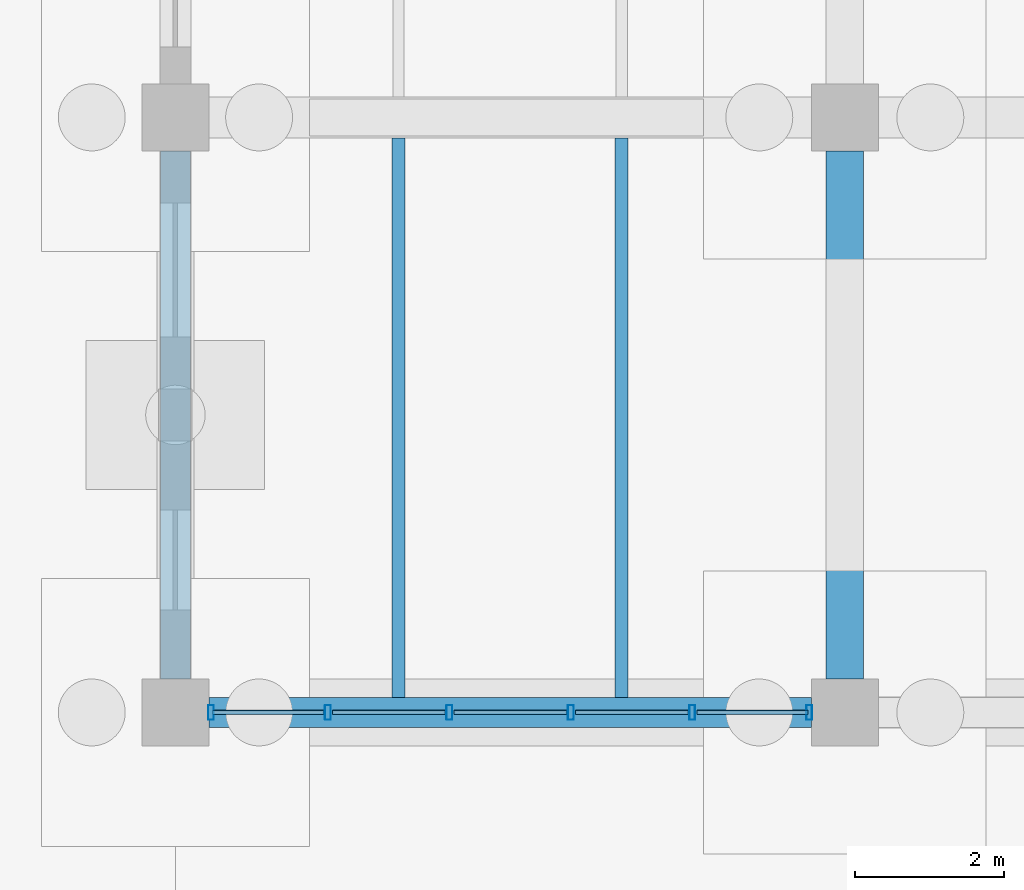
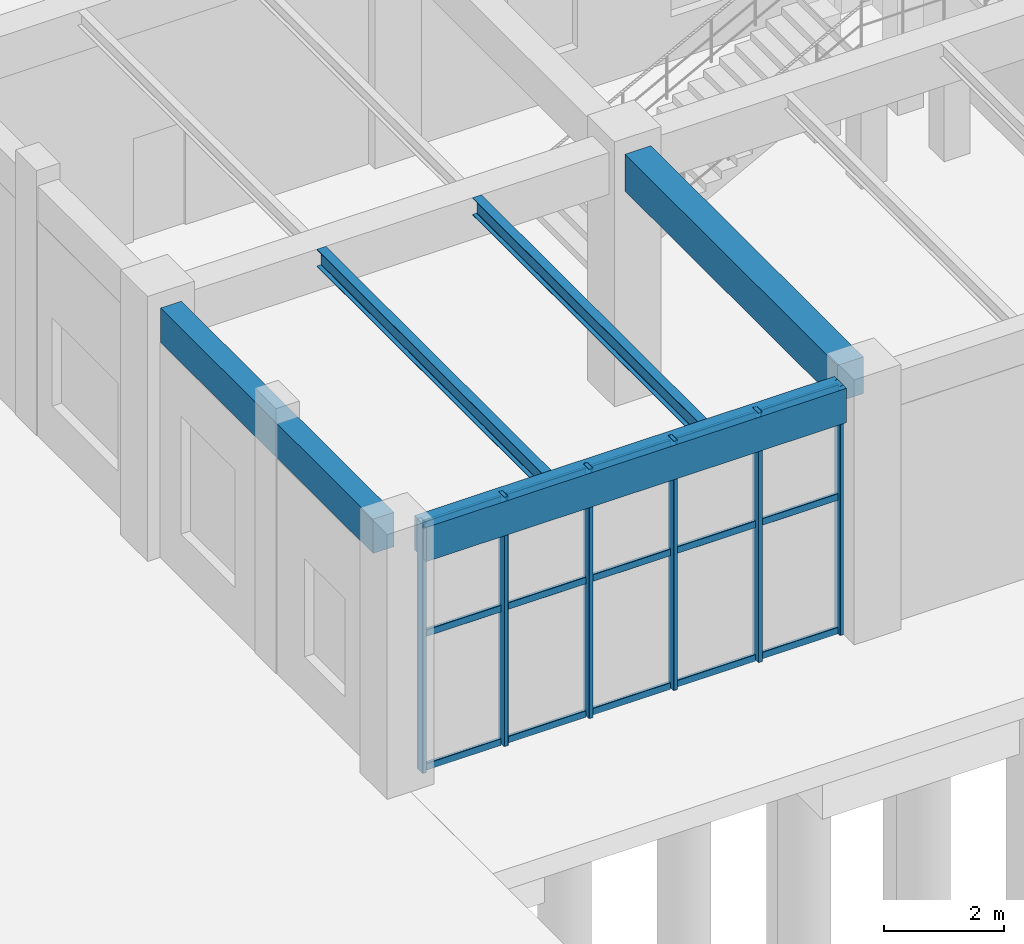
# One storey, part 23 of 121: 21 members, 5 beams, 1 element without a shape of its own.
"""IFC4 building model written with IfcOpenShell, lengths in metres."""

from ifc_helpers import new_model, si_unit, derived_unit, direction, frame, origin, origin_2d, place, context, subcontext, project, spatial, rectangle, hollow_rectangle, i_section, extrude, material, material_profile, profile_set, type_object, element, aggregate, save


model = new_model("IFC4")

# Units and contexts
model_context = context("Model", 3, precision=1e-05, world=origin(), true_north=direction((0.0, 1.0)))
body_context = subcontext(model_context, "Body", "Model", "MODEL_VIEW")
ifc_project = project(units=[si_unit("LENGTHUNIT", "METRE"), si_unit("AREAUNIT", "SQUARE_METRE"), si_unit("VOLUMEUNIT", "CUBIC_METRE"), si_unit("PLANEANGLEUNIT", "RADIAN"), si_unit("MASSUNIT", "GRAM", prefix="KILO"), derived_unit("THERMALTRANSMITTANCEUNIT", [(si_unit("MASSUNIT", "GRAM", prefix="KILO"), 1), (si_unit("TIMEUNIT", "SECOND"), -3), (si_unit("THERMODYNAMICTEMPERATUREUNIT", "KELVIN"), -1)])], contexts=[model_context])

# Site, building, storey
site_placement = place(None, origin())
site = spatial("IfcSite", under=ifc_project, at=site_placement, CompositionType="ELEMENT")
building_placement = place(site_placement, origin())
building = spatial("IfcBuilding", under=site, at=building_placement, Name="Zhenchuan Archway Interchange", CompositionType="ELEMENT")
storey_placement = place(building_placement, origin())
storey = spatial("IfcBuildingStorey", under=building, at=storey_placement, Name="L00", CompositionType="ELEMENT", Elevation=0.0)

# Beam
ifc_material_1 = material(Name="Concrete C40", Category="concrete")
ifc_material_profile_1 = material_profile(ifc_material_1, rectangle(XDim=0.5, YDim=0.75, at=origin_2d()), Name="RC 500x750")
ifc_profile_set_1 = profile_set([ifc_material_profile_1], Name="Concrete C40")
beam_type_1 = type_object("IfcBeamType", Name="BM_RC_500x750", PredefinedType="BEAM", material=ifc_profile_set_1)
beam_1_placement = place(storey_placement, frame((108.0, 8.449951171875, 4.705078125), z_axis=(0.0, 1.0, 0.0), x_axis=(-1.0, 0.0, 0.0)))
element("IfcBeam", 1, at=beam_1_placement, inside=storey, type_object=beam_type_1, Name="Beam 13:B-C (L00)", PredefinedType="BEAM", context=body_context, shape_type="SweptSolid", body=[
    extrude(rectangle(XDim=0.5, YDim=0.75, at=origin_2d()), origin(), (0.0, 0.0, 1.0), 7.10009765625),
])

# Curtain wall, members
ifc_material_2 = material(Name="Anodised Aluminium", Category="aluminium")
curtain_wall_type = type_object("IfcCurtainWallType", Name="CW_UNIT_3", PredefinedType="NOTDEFINED", material=ifc_material_2)
curtain_wall_placement = place(storey_placement, origin())
curtain_wall = element("IfcCurtainWall", 2, at=curtain_wall_placement, inside=storey, type_object=curtain_wall_type, Name="Unitised curtain wall CW:L00:018", PredefinedType="NOTDEFINED")
ifc_material_profile_2 = material_profile(ifc_material_2, hollow_rectangle(XDim=0.080078125, YDim=0.199951171875, WallThickness=0.00439453125, InnerFilletRadius=0.00439453125, OuterFilletRadius=0.009033203125, at=origin_2d()), Name="ALU 200x80x4.5")
ifc_profile_set_2 = profile_set([ifc_material_profile_2], Name="Anodised Aluminium")
member_type_1 = type_object("IfcMemberType", Name="CW_MUL_200", PredefinedType="MULLION", material=ifc_profile_set_2)
member_1_placement = place(storey_placement, frame((107.52197265625, 8.0, 0.0), z_axis=(0.0, 0.0, 1.0), x_axis=(1.0, 0.0, 0.0)))
member_1 = element("IfcMember", 3, at=member_1_placement, type_object=member_type_1, Name="CW:L00:018 mullion 0", PredefinedType="MULLION", context=body_context, shape_type="SweptSolid", body=[
    extrude(hollow_rectangle(XDim=0.080078125, YDim=0.199951171875, WallThickness=0.00439453125, InnerFilletRadius=0.00439453125, OuterFilletRadius=0.009033203125, at=origin_2d()), origin(), (0.0, 0.0, 1.0), 5.080078125),
])
member_2_placement = place(storey_placement, frame((105.94921875, 8.0, 0.0), z_axis=(0.0, 0.0, 1.0), x_axis=(1.0, 0.0, 0.0)))
member_2 = element("IfcMember", 4, at=member_2_placement, type_object=member_type_1, Name="CW:L00:018 mullion 1", PredefinedType="MULLION", context=body_context, shape_type="SweptSolid", body=[
    extrude(hollow_rectangle(XDim=0.080078125, YDim=0.199951171875, WallThickness=0.00439453125, InnerFilletRadius=0.00439453125, OuterFilletRadius=0.009033203125, at=origin_2d()), origin(), (0.0, 0.0, 1.0), 5.080078125),
])
member_3_placement = place(storey_placement, frame((104.31640625, 8.0, 0.0), z_axis=(0.0, 0.0, 1.0), x_axis=(1.0, 0.0, 0.0)))
member_3 = element("IfcMember", 5, at=member_3_placement, type_object=member_type_1, Name="CW:L00:018 mullion 2", PredefinedType="MULLION", context=body_context, shape_type="SweptSolid", body=[
    extrude(hollow_rectangle(XDim=0.080078125, YDim=0.199951171875, WallThickness=0.00439453125, InnerFilletRadius=0.00439453125, OuterFilletRadius=0.009033203125, at=origin_2d()), origin(), (0.0, 0.0, 1.0), 5.080078125),
])
member_4_placement = place(storey_placement, frame((102.68359375, 8.0, 0.0), z_axis=(0.0, 0.0, 1.0), x_axis=(1.0, 0.0, 0.0)))
member_4 = element("IfcMember", 6, at=member_4_placement, type_object=member_type_1, Name="CW:L00:018 mullion 3", PredefinedType="MULLION", context=body_context, shape_type="SweptSolid", body=[
    extrude(hollow_rectangle(XDim=0.080078125, YDim=0.199951171875, WallThickness=0.00439453125, InnerFilletRadius=0.00439453125, OuterFilletRadius=0.009033203125, at=origin_2d()), origin(), (0.0, 0.0, 1.0), 5.080078125),
])
member_5_placement = place(storey_placement, frame((101.05078125, 8.0, 0.0), z_axis=(0.0, 0.0, 1.0), x_axis=(1.0, 0.0, 0.0)))
member_5 = element("IfcMember", 7, at=member_5_placement, type_object=member_type_1, Name="CW:L00:018 mullion 4", PredefinedType="MULLION", context=body_context, shape_type="SweptSolid", body=[
    extrude(hollow_rectangle(XDim=0.080078125, YDim=0.199951171875, WallThickness=0.00439453125, InnerFilletRadius=0.00439453125, OuterFilletRadius=0.009033203125, at=origin_2d()), origin(), (0.0, 0.0, 1.0), 5.080078125),
])
member_6_placement = place(storey_placement, frame((99.47802734375, 8.0, 0.0), z_axis=(0.0, 0.0, 1.0), x_axis=(1.0, 0.0, 0.0)))
member_6 = element("IfcMember", 8, at=member_6_placement, type_object=member_type_1, Name="CW:L00:018 mullion 5", PredefinedType="MULLION", context=body_context, shape_type="SweptSolid", body=[
    extrude(hollow_rectangle(XDim=0.080078125, YDim=0.199951171875, WallThickness=0.00439453125, InnerFilletRadius=0.00439453125, OuterFilletRadius=0.009033203125, at=origin_2d()), origin(), (0.0, 0.0, 1.0), 5.080078125),
])
ifc_material_profile_3 = material_profile(ifc_material_2, hollow_rectangle(XDim=0.06005859375, YDim=0.139892578125, WallThickness=0.00341796875, InnerFilletRadius=0.00341796875, OuterFilletRadius=0.007080078125, at=origin_2d()), Name="ALU 140x60x3.5")
ifc_profile_set_3 = profile_set([ifc_material_profile_3], Name="Anodised Aluminium")
member_type_2 = type_object("IfcMemberType", Name="CW_TRN_140", PredefinedType="USERDEFINED", material=ifc_profile_set_3)
member_7_placement = place(storey_placement, frame((107.501953125, 8.0, 0.06005859375), z_axis=(-1.0, 0.0, 0.0), x_axis=(0.0, -1.0, 0.0)))
member_7 = element("IfcMember", 9, at=member_7_placement, type_object=member_type_2, Name="CW:L00:018 transom 0-1", ObjectType="TRANSOM", PredefinedType="USERDEFINED", context=body_context, shape_type="SweptSolid", body=[
    extrude(hollow_rectangle(XDim=0.06005859375, YDim=0.139892578125, WallThickness=0.00341796875, InnerFilletRadius=0.00341796875, OuterFilletRadius=0.007080078125, at=origin_2d()), origin(), (0.0, 0.0, 1.0), 1.49267578125),
])
member_8_placement = place(storey_placement, frame((107.501953125, 8.0, 2.782958984375), z_axis=(-1.0, 0.0, 0.0), x_axis=(0.0, -1.0, 0.0)))
member_8 = element("IfcMember", 10, at=member_8_placement, type_object=member_type_2, Name="CW:L00:018 transom 0-2", ObjectType="TRANSOM", PredefinedType="USERDEFINED", context=body_context, shape_type="SweptSolid", body=[
    extrude(hollow_rectangle(XDim=0.06005859375, YDim=0.139892578125, WallThickness=0.00341796875, InnerFilletRadius=0.00341796875, OuterFilletRadius=0.007080078125, at=origin_2d()), origin(), (0.0, 0.0, 1.0), 1.49267578125),
])
member_9_placement = place(storey_placement, frame((107.501953125, 8.0, 5.0), z_axis=(-1.0, 0.0, 0.0), x_axis=(0.0, -1.0, 0.0)))
member_9 = element("IfcMember", 11, at=member_9_placement, type_object=member_type_2, Name="CW:L00:018 transom 0-3", ObjectType="TRANSOM", PredefinedType="USERDEFINED", context=body_context, shape_type="SweptSolid", body=[
    extrude(hollow_rectangle(XDim=0.06005859375, YDim=0.139892578125, WallThickness=0.00341796875, InnerFilletRadius=0.00341796875, OuterFilletRadius=0.007080078125, at=origin_2d()), origin(), (0.0, 0.0, 1.0), 1.49267578125),
])
member_10_placement = place(storey_placement, frame((105.88916015625, 8.0, 0.06005859375), z_axis=(-1.0, 0.0, 0.0), x_axis=(0.0, -1.0, 0.0)))
member_10 = element("IfcMember", 12, at=member_10_placement, type_object=member_type_2, Name="CW:L00:018 transom 1-1", ObjectType="TRANSOM", PredefinedType="USERDEFINED", context=body_context, shape_type="SweptSolid", body=[
    extrude(hollow_rectangle(XDim=0.06005859375, YDim=0.139892578125, WallThickness=0.00341796875, InnerFilletRadius=0.00341796875, OuterFilletRadius=0.007080078125, at=origin_2d()), origin(), (0.0, 0.0, 1.0), 1.5126953125),
])
member_11_placement = place(storey_placement, frame((105.88916015625, 8.0, 2.782958984375), z_axis=(-1.0, 0.0, 0.0), x_axis=(0.0, -1.0, 0.0)))
member_11 = element("IfcMember", 13, at=member_11_placement, type_object=member_type_2, Name="CW:L00:018 transom 1-2", ObjectType="TRANSOM", PredefinedType="USERDEFINED", context=body_context, shape_type="SweptSolid", body=[
    extrude(hollow_rectangle(XDim=0.06005859375, YDim=0.139892578125, WallThickness=0.00341796875, InnerFilletRadius=0.00341796875, OuterFilletRadius=0.007080078125, at=origin_2d()), origin(), (0.0, 0.0, 1.0), 1.5126953125),
])
member_12_placement = place(storey_placement, frame((105.88916015625, 8.0, 5.0), z_axis=(-1.0, 0.0, 0.0), x_axis=(0.0, -1.0, 0.0)))
member_12 = element("IfcMember", 14, at=member_12_placement, type_object=member_type_2, Name="CW:L00:018 transom 1-3", ObjectType="TRANSOM", PredefinedType="USERDEFINED", context=body_context, shape_type="SweptSolid", body=[
    extrude(hollow_rectangle(XDim=0.06005859375, YDim=0.139892578125, WallThickness=0.00341796875, InnerFilletRadius=0.00341796875, OuterFilletRadius=0.007080078125, at=origin_2d()), origin(), (0.0, 0.0, 1.0), 1.5126953125),
])
member_13_placement = place(storey_placement, frame((104.25634765625, 8.0, 0.06005859375), z_axis=(-1.0, 0.0, 0.0), x_axis=(0.0, -1.0, 0.0)))
member_13 = element("IfcMember", 15, at=member_13_placement, type_object=member_type_2, Name="CW:L00:018 transom 2-1", ObjectType="TRANSOM", PredefinedType="USERDEFINED", context=body_context, shape_type="SweptSolid", body=[
    extrude(hollow_rectangle(XDim=0.06005859375, YDim=0.139892578125, WallThickness=0.00341796875, InnerFilletRadius=0.00341796875, OuterFilletRadius=0.007080078125, at=origin_2d()), origin(), (0.0, 0.0, 1.0), 1.5126953125),
])
member_14_placement = place(storey_placement, frame((104.25634765625, 8.0, 2.782958984375), z_axis=(-1.0, 0.0, 0.0), x_axis=(0.0, -1.0, 0.0)))
member_14 = element("IfcMember", 16, at=member_14_placement, type_object=member_type_2, Name="CW:L00:018 transom 2-2", ObjectType="TRANSOM", PredefinedType="USERDEFINED", context=body_context, shape_type="SweptSolid", body=[
    extrude(hollow_rectangle(XDim=0.06005859375, YDim=0.139892578125, WallThickness=0.00341796875, InnerFilletRadius=0.00341796875, OuterFilletRadius=0.007080078125, at=origin_2d()), origin(), (0.0, 0.0, 1.0), 1.5126953125),
])
member_15_placement = place(storey_placement, frame((104.25634765625, 8.0, 5.0), z_axis=(-1.0, 0.0, 0.0), x_axis=(0.0, -1.0, 0.0)))
member_15 = element("IfcMember", 17, at=member_15_placement, type_object=member_type_2, Name="CW:L00:018 transom 2-3", ObjectType="TRANSOM", PredefinedType="USERDEFINED", context=body_context, shape_type="SweptSolid", body=[
    extrude(hollow_rectangle(XDim=0.06005859375, YDim=0.139892578125, WallThickness=0.00341796875, InnerFilletRadius=0.00341796875, OuterFilletRadius=0.007080078125, at=origin_2d()), origin(), (0.0, 0.0, 1.0), 1.5126953125),
])
member_16_placement = place(storey_placement, frame((102.62353515625, 8.0, 0.06005859375), z_axis=(-1.0, 0.0, 0.0), x_axis=(0.0, -1.0, 0.0)))
member_16 = element("IfcMember", 18, at=member_16_placement, type_object=member_type_2, Name="CW:L00:018 transom 3-1", ObjectType="TRANSOM", PredefinedType="USERDEFINED", context=body_context, shape_type="SweptSolid", body=[
    extrude(hollow_rectangle(XDim=0.06005859375, YDim=0.139892578125, WallThickness=0.00341796875, InnerFilletRadius=0.00341796875, OuterFilletRadius=0.007080078125, at=origin_2d()), origin(), (0.0, 0.0, 1.0), 1.5126953125),
])
member_17_placement = place(storey_placement, frame((102.62353515625, 8.0, 2.782958984375), z_axis=(-1.0, 0.0, 0.0), x_axis=(0.0, -1.0, 0.0)))
member_17 = element("IfcMember", 19, at=member_17_placement, type_object=member_type_2, Name="CW:L00:018 transom 3-2", ObjectType="TRANSOM", PredefinedType="USERDEFINED", context=body_context, shape_type="SweptSolid", body=[
    extrude(hollow_rectangle(XDim=0.06005859375, YDim=0.139892578125, WallThickness=0.00341796875, InnerFilletRadius=0.00341796875, OuterFilletRadius=0.007080078125, at=origin_2d()), origin(), (0.0, 0.0, 1.0), 1.5126953125),
])
member_18_placement = place(storey_placement, frame((102.62353515625, 8.0, 5.0), z_axis=(-1.0, 0.0, 0.0), x_axis=(0.0, -1.0, 0.0)))
member_18 = element("IfcMember", 20, at=member_18_placement, type_object=member_type_2, Name="CW:L00:018 transom 3-3", ObjectType="TRANSOM", PredefinedType="USERDEFINED", context=body_context, shape_type="SweptSolid", body=[
    extrude(hollow_rectangle(XDim=0.06005859375, YDim=0.139892578125, WallThickness=0.00341796875, InnerFilletRadius=0.00341796875, OuterFilletRadius=0.007080078125, at=origin_2d()), origin(), (0.0, 0.0, 1.0), 1.5126953125),
])
member_19_placement = place(storey_placement, frame((100.99072265625, 8.0, 0.06005859375), z_axis=(-1.0, 0.0, 0.0), x_axis=(0.0, -1.0, 0.0)))
member_19 = element("IfcMember", 21, at=member_19_placement, type_object=member_type_2, Name="CW:L00:018 transom 4-1", ObjectType="TRANSOM", PredefinedType="USERDEFINED", context=body_context, shape_type="SweptSolid", body=[
    extrude(hollow_rectangle(XDim=0.06005859375, YDim=0.139892578125, WallThickness=0.00341796875, InnerFilletRadius=0.00341796875, OuterFilletRadius=0.007080078125, at=origin_2d()), origin(), (0.0, 0.0, 1.0), 1.49267578125),
])
member_20_placement = place(storey_placement, frame((100.99072265625, 8.0, 2.782958984375), z_axis=(-1.0, 0.0, 0.0), x_axis=(0.0, -1.0, 0.0)))
member_20 = element("IfcMember", 22, at=member_20_placement, type_object=member_type_2, Name="CW:L00:018 transom 4-2", ObjectType="TRANSOM", PredefinedType="USERDEFINED", context=body_context, shape_type="SweptSolid", body=[
    extrude(hollow_rectangle(XDim=0.06005859375, YDim=0.139892578125, WallThickness=0.00341796875, InnerFilletRadius=0.00341796875, OuterFilletRadius=0.007080078125, at=origin_2d()), origin(), (0.0, 0.0, 1.0), 1.49267578125),
])
member_21_placement = place(storey_placement, frame((100.99072265625, 8.0, 5.0), z_axis=(-1.0, 0.0, 0.0), x_axis=(0.0, -1.0, 0.0)))
member_21 = element("IfcMember", 23, at=member_21_placement, type_object=member_type_2, Name="CW:L00:018 transom 4-3", ObjectType="TRANSOM", PredefinedType="USERDEFINED", context=body_context, shape_type="SweptSolid", body=[
    extrude(hollow_rectangle(XDim=0.06005859375, YDim=0.139892578125, WallThickness=0.00341796875, InnerFilletRadius=0.00341796875, OuterFilletRadius=0.007080078125, at=origin_2d()), origin(), (0.0, 0.0, 1.0), 1.49267578125),
])
aggregate(curtain_wall, [member_1, member_2, member_3, member_4, member_5, member_6, member_7, member_8, member_9, member_10, member_11, member_12, member_13, member_14, member_15, member_16, member_17, member_18, member_19, member_20, member_21])

# Beams
ifc_material_3 = material(Name="Steel Q355", Category="steel")
ifc_material_profile_4 = material_profile(ifc_material_3, i_section(OverallWidth=0.175048828125, OverallDepth=0.35009765625, WebThickness=0.007080078125, FlangeThickness=0.010986328125, FilletRadius=0.013916015625, at=origin_2d()), Name="HN 350x175")
ifc_profile_set_4 = profile_set([ifc_material_profile_4], Name="Steel Q355")
beam_type_2 = type_object("IfcBeamType", Name="JST_STL_HN350", PredefinedType="JOIST", material=ifc_profile_set_4)
for number, where, z_axis, x_axis, name in (
    (24, (102.0, 8.199951171875, 4.905029296875), (0.0, 1.0, 0.0), (-1.0, 0.0, 0.0), "Secondary joist 12-13/B-C #1 (L00)"),
    (25, (105.0, 8.199951171875, 4.905029296875), (0.0, 1.0, 0.0), (-1.0, 0.0, 0.0), "Secondary joist 12-13/B-C #2 (L00)"),
):
    element("IfcBeam", number, at=place(storey_placement, frame(where, z_axis=z_axis, x_axis=x_axis)), inside=storey, type_object=beam_type_2, Name=name, PredefinedType="JOIST", context=body_context, shape_type="SweptSolid", body=[
        extrude(i_section(OverallWidth=0.175048828125, OverallDepth=0.35009765625, WebThickness=0.007080078125, FlangeThickness=0.010986328125, FilletRadius=0.013916015625, at=origin_2d()), origin(), (0.0, 0.0, 1.0), 7.525146484375),
    ])
ifc_material_profile_5 = material_profile(ifc_material_1, rectangle(XDim=0.39990234375, YDim=0.699951171875, at=origin_2d()), Name="RC 400x700")
ifc_profile_set_5 = profile_set([ifc_material_profile_5], Name="Concrete C40")
beam_type_3 = type_object("IfcBeamType", Name="SP_RC_400x700", PredefinedType="SPANDREL", material=ifc_profile_set_5)
beam_2_placement = place(storey_placement, frame((99.449951171875, 8.0, 4.72998046875), z_axis=(1.0, 0.0, 0.0), x_axis=(0.0, 1.0, 0.0)))
element("IfcBeam", 26, at=beam_2_placement, inside=storey, type_object=beam_type_3, Name="Beam B:12-13 (L00)", PredefinedType="SPANDREL", context=body_context, shape_type="SweptSolid", body=[
    extrude(rectangle(XDim=0.39990234375, YDim=0.699951171875, at=origin_2d()), origin(), (0.0, 0.0, 1.0), 8.10009765625),
])
beam_3_placement = place(storey_placement, frame((99.0, 8.449951171875, 4.72998046875), z_axis=(0.0, 1.0, 0.0), x_axis=(-1.0, 0.0, 0.0)))
element("IfcBeam", 27, at=beam_3_placement, inside=storey, type_object=beam_type_3, Name="Beam 12:B-C (L00)", PredefinedType="SPANDREL", context=body_context, shape_type="SweptSolid", body=[
    extrude(rectangle(XDim=0.39990234375, YDim=0.699951171875, at=origin_2d()), origin(), (0.0, 0.0, 1.0), 7.10009765625),
])

save(model, "model.ifc")
